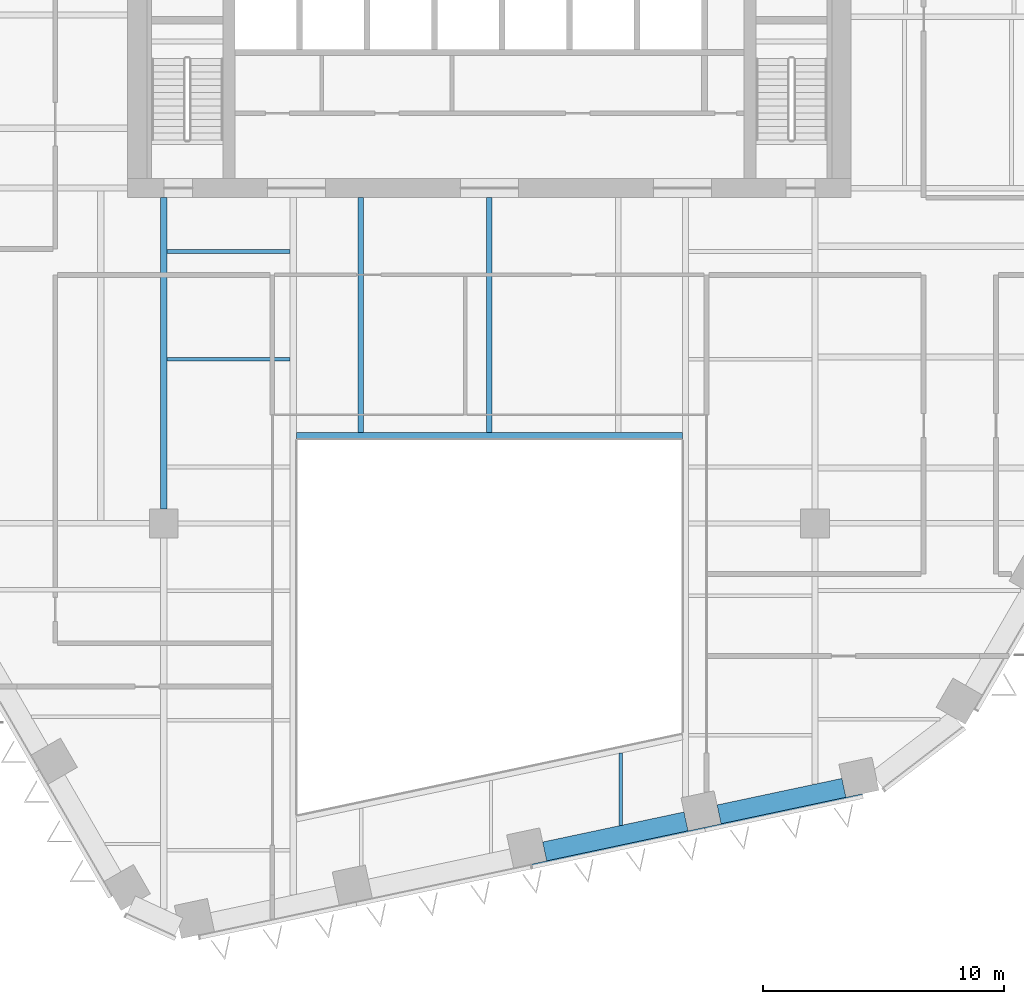
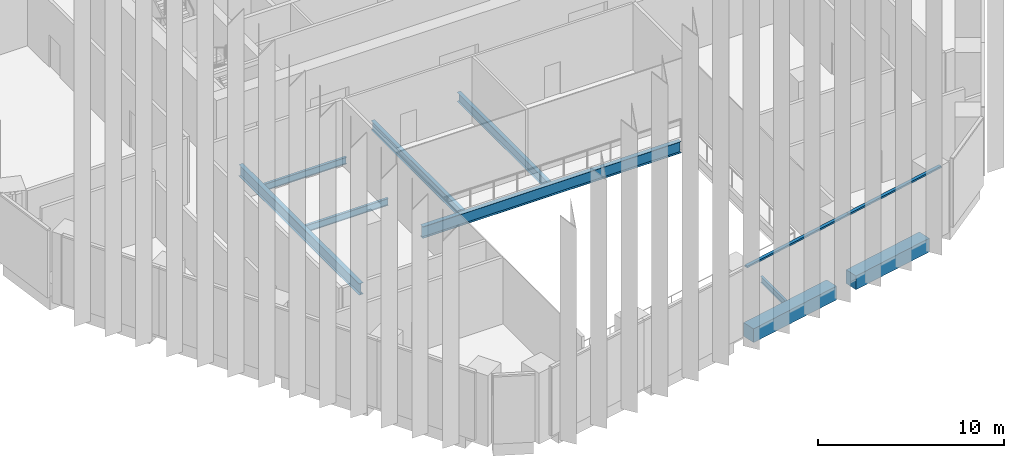
# One storey, part 4 of 18: 9 beams, 2 members, 1 element without a shape of its own.
"""IFC4 building model written with IfcOpenShell, lengths in metres."""

from ifc_helpers import new_model, si_unit, direction, frame, origin, origin_2d, place, context, subcontext, project, spatial, rectangle, i_section, extrude, material, layer, layer_set, material_profile, profile_set, type_object, element, aggregate, save


model = new_model("IFC4")

# Units and contexts
model_context = context("Model", 3, precision=1e-05, world=origin(), true_north=direction((0.0, 1.0)))
body_context = subcontext(model_context, "Body", "Model", "MODEL_VIEW")
ifc_project = project(units=[si_unit("LENGTHUNIT", "METRE"), si_unit("AREAUNIT", "SQUARE_METRE"), si_unit("VOLUMEUNIT", "CUBIC_METRE"), si_unit("PLANEANGLEUNIT", "RADIAN"), si_unit("MASSUNIT", "GRAM", prefix="KILO")], contexts=[model_context])

# Site, building, storey
site_placement = place(None, origin())
site = spatial("IfcSite", under=ifc_project, at=site_placement, CompositionType="ELEMENT")
building_placement = place(site_placement, origin())
building = spatial("IfcBuilding", under=site, at=building_placement, Name="Isthmus Gate Tower", CompositionType="ELEMENT")
storey_placement = place(building_placement, frame((0.0, 0.0, 166.300048828125)))
storey = spatial("IfcBuildingStorey", under=building, at=storey_placement, Name="L41", CompositionType="ELEMENT", Elevation=166.300048828125)

# Curtain wall, members
ifc_material_1 = material(Name="Aluminium, pale champagne anodised", Category="aluminium")
ifc_layer = layer(ifc_material_1, 0.199951171875)
ifc_layer_set = layer_set([ifc_layer], Name="CW-2 LOUVRE CURTAIN WALL 200 DEEP")
curtain_wall_type = type_object("IfcCurtainWallType", Name="CW-2 LOUVRE CURTAIN WALL 200 DEEP", PredefinedType="NOTDEFINED", material=ifc_layer_set)
curtain_wall_placement = place(storey_placement, origin())
curtain_wall = element("IfcCurtainWall", 1, at=curtain_wall_placement, inside=storey, type_object=curtain_wall_type, Name="CW-2 S L41", PredefinedType="NOTDEFINED")
ifc_material_2 = material(Name="Aluminium, pale champagne anodised", Category="aluminium")
ifc_material_profile_1 = material_profile(ifc_material_2, rectangle(XDim=0.199951171875, YDim=0.110107421875, at=origin_2d()), Name="200x110")
ifc_profile_set_1 = profile_set([ifc_material_profile_1], Name="Aluminium, pale champagne anodised")
member_type = type_object("IfcMemberType", Name="CW-2 TRANSOM 200 X 110", PredefinedType="USERDEFINED", material=ifc_profile_set_1)
member_1_placement = place(storey_placement, frame((1.76953125, -27.72607421875, 4.445068359375), z_axis=(0.978146152746, 0.207918502948, 0.0), x_axis=(-0.207918502948, 0.978146152746, 0.0)))
member_1 = element("IfcMember", 2, at=member_1_placement, type_object=member_type, Name="CW-2 transom", ObjectType="TRANSOM", PredefinedType="USERDEFINED", context=body_context, shape_type="SweptSolid", body=[
    extrude(rectangle(XDim=0.199951171875, YDim=0.110107421875, at=origin_2d()), origin(), (0.0, 0.0, 1.0), 7.33056640625),
])
member_2_placement = place(storey_placement, frame((8.93994140625, -26.201904296875, 4.445068359375), z_axis=(0.978147628551, 0.207911559946, 0.0), x_axis=(-0.207911559946, 0.978147628551, 0.0)))
member_2 = element("IfcMember", 3, at=member_2_placement, type_object=member_type, Name="CW-2 transom", ObjectType="TRANSOM", PredefinedType="USERDEFINED", context=body_context, shape_type="SweptSolid", body=[
    extrude(rectangle(XDim=0.199951171875, YDim=0.110107421875, at=origin_2d()), origin(), (0.0, 0.0, 1.0), 6.69091796875),
])
aggregate(curtain_wall, [member_1, member_2])

# Beams
ifc_material_3 = material(Name="Concrete f'c 60 MPa", Category="concrete")
ifc_material_profile_2 = material_profile(ifc_material_3, rectangle(XDim=0.800048828125, YDim=0.89990234375, at=origin_2d()), Name="RC 800X900")
ifc_profile_set_2 = profile_set([ifc_material_profile_2], Name="Concrete f'c 60 MPa")
beam_type_1 = type_object("IfcBeamType", Name="RC SPANDREL 800 X 900", PredefinedType="SPANDREL", material=ifc_profile_set_2)
beam_1_placement = place(storey_placement, frame((14.696044921875, -24.46728515625, -0.449951171875), z_axis=(-0.978145479826, -0.207921668653, 0.0), x_axis=(0.207921668653, -0.978145479826, 0.0)))
element("IfcBeam", 4, at=beam_1_placement, inside=storey, type_object=beam_type_1, Name="str-spandrel-L41-11", PredefinedType="SPANDREL", context=body_context, shape_type="SweptSolid", body=[
    extrude(rectangle(XDim=0.800048828125, YDim=0.89990234375, at=origin_2d()), origin(), (0.0, 0.0, 1.0), 5.291015625),
])
beam_2_placement = place(storey_placement, frame((8.1513671875, -25.8583984375, -0.449951171875), z_axis=(-0.978145798872, -0.20792016773, 0.0), x_axis=(0.20792016773, -0.978145798872, 0.0)))
element("IfcBeam", 5, at=beam_2_placement, inside=storey, type_object=beam_type_1, Name="str-spandrel-L41-12", PredefinedType="SPANDREL", context=body_context, shape_type="SweptSolid", body=[
    extrude(rectangle(XDim=0.800048828125, YDim=0.89990234375, at=origin_2d()), origin(), (0.0, 0.0, 1.0), 5.99072265625),
])
ifc_material_4 = material(Name="Structural steel ASTM A992 Gr 50", Category="steel")
ifc_material_profile_3 = material_profile(ifc_material_4, i_section(OverallWidth=0.1396484375, OverallDepth=0.4033203125, WebThickness=0.00634765625, FlangeThickness=0.010986328125, at=origin_2d()), Name="W16X31")
ifc_profile_set_3 = profile_set([ifc_material_profile_3], Name="Structural steel ASTM A992 Gr 50")
beam_type_2 = type_object("IfcBeamType", Name="STEEL FLOOR BEAM W16X31", PredefinedType="JOIST", material=ifc_profile_set_3)
beam_3_placement = place(storey_placement, frame((5.443115234375, -26.025146484375, -0.501708984375), z_axis=(0.0, 1.0, 0.0), x_axis=(-1.0, 0.0, 0.0)))
element("IfcBeam", 6, at=beam_3_placement, inside=storey, type_object=beam_type_2, Name="str-beam-L41-07-02", PredefinedType="JOIST", context=body_context, shape_type="SweptSolid", body=[
    extrude(i_section(OverallWidth=0.1396484375, OverallDepth=0.4033203125, WebThickness=0.00634765625, FlangeThickness=0.010986328125, at=origin_2d()), origin(), (0.0, 0.0, 1.0), 2.998779296875),
])
ifc_material_5 = material(Name="Structural steel ASTM A992 Gr 50", Category="steel")
ifc_material_profile_4 = material_profile(ifc_material_5, i_section(OverallWidth=0.15234375, OverallDepth=0.45068359375, WebThickness=0.0078125, FlangeThickness=0.010986328125, at=origin_2d()), Name="W18X35")
ifc_profile_set_4 = profile_set([ifc_material_profile_4], Name="Structural steel ASTM A992 Gr 50")
beam_type_3 = type_object("IfcBeamType", Name="STEEL FLOOR BEAM W18X35", PredefinedType="JOIST", material=ifc_profile_set_4)
for number, where, z_axis, x_axis, name in (
    (7, (-13.3681640625, -6.697509765625, -0.525390625), (1.0, 0.0, 0.0), (0.0, 1.0, 0.0), "str-beam-L41-04-01"),
    (8, (-13.3681640625, -2.232421875, -0.525390625), (1.0, 0.0, 0.0), (0.0, 1.0, 0.0), "str-beam-L41-04-02"),
):
    element("IfcBeam", number, at=place(storey_placement, frame(where, z_axis=z_axis, x_axis=x_axis)), inside=storey, type_object=beam_type_3, Name=name, PredefinedType="JOIST", context=body_context, shape_type="SweptSolid", body=[
        extrude(i_section(OverallWidth=0.15234375, OverallDepth=0.45068359375, WebThickness=0.0078125, FlangeThickness=0.010986328125, at=origin_2d()), origin(), (0.0, 0.0, 1.0), 5.1015625),
    ])
ifc_material_6 = material(Name="Structural steel ASTM A992 Gr 50", Category="steel")
ifc_material_profile_5 = material_profile(ifc_material_6, i_section(OverallWidth=0.228515625, OverallDepth=0.603271484375, WebThickness=0.010986328125, FlangeThickness=0.014404296875, at=origin_2d()), Name="W24X68")
ifc_profile_set_5 = profile_set([ifc_material_profile_5], Name="Structural steel ASTM A992 Gr 50")
beam_type_4 = type_object("IfcBeamType", Name="STEEL FLOOR BEAM W24X68", PredefinedType="JOIST", material=ifc_profile_set_5)
for number, where, z_axis, x_axis, name in (
    (9, (-5.333251953125, -9.7333984375, -0.6015625), (0.0, 1.0, 0.0), (-1.0, 0.0, 0.0), "str-beam-L41-06-00"),
    (10, (0.0, -9.7333984375, -0.6015625), (0.0, 1.0, 0.0), (-1.0, 0.0, 0.0), "str-beam-L41-06-01"),
):
    element("IfcBeam", number, at=place(storey_placement, frame(where, z_axis=z_axis, x_axis=x_axis)), inside=storey, type_object=beam_type_4, Name=name, PredefinedType="JOIST", context=body_context, shape_type="SweptSolid", body=[
        extrude(i_section(OverallWidth=0.228515625, OverallDepth=0.603271484375, WebThickness=0.010986328125, FlangeThickness=0.014404296875, at=origin_2d()), origin(), (0.0, 0.0, 1.0), 9.7333984375),
    ])
ifc_material_7 = material(Name="Structural steel ASTM A992 Gr 50", Category="steel")
ifc_material_profile_6 = material_profile(ifc_material_7, i_section(OverallWidth=0.263427734375, OverallDepth=0.749267578125, WebThickness=0.0126953125, FlangeThickness=0.015869140625, at=origin_2d()), Name="W30X90")
ifc_profile_set_6 = profile_set([ifc_material_profile_6], Name="Structural steel ASTM A992 Gr 50")
beam_type_5 = type_object("IfcBeamType", Name="STEEL GIRDER W30X90", PredefinedType="BEAM", material=ifc_profile_set_6)
beam_4_placement = place(storey_placement, frame((-13.5, -12.89990234375, -0.6748046875), z_axis=(0.0, 1.0, 0.0), x_axis=(-1.0, 0.0, 0.0)))
element("IfcBeam", 11, at=beam_4_placement, inside=storey, type_object=beam_type_5, Name="str-girder-L41-08", PredefinedType="BEAM", context=body_context, shape_type="SweptSolid", body=[
    extrude(i_section(OverallWidth=0.263427734375, OverallDepth=0.749267578125, WebThickness=0.0126953125, FlangeThickness=0.015869140625, at=origin_2d()), origin(), (0.0, 0.0, 1.0), 12.89990234375),
])
ifc_material_8 = material(Name="Structural steel ASTM A992 Gr 50", Category="steel")
ifc_material_profile_7 = material_profile(ifc_material_8, i_section(OverallWidth=0.2666015625, OverallDepth=0.7587890625, WebThickness=0.014404296875, FlangeThickness=0.01904296875, at=origin_2d()), Name="W30X108")
ifc_profile_set_7 = profile_set([ifc_material_profile_7], Name="Structural steel ASTM A992 Gr 50")
beam_type_6 = type_object("IfcBeamType", Name="STEEL TRIMMER W30X108", PredefinedType="BEAM", material=ifc_profile_set_7)
beam_5_placement = place(storey_placement, frame((8.0, -9.86669921875, -0.679443359375), z_axis=(-1.0, 0.0, 0.0), x_axis=(0.0, -1.0, 0.0)))
element("IfcBeam", 12, at=beam_5_placement, inside=storey, type_object=beam_type_6, Name="str-trimmer-L41-04", PredefinedType="BEAM", context=body_context, shape_type="SweptSolid", body=[
    extrude(i_section(OverallWidth=0.2666015625, OverallDepth=0.7587890625, WebThickness=0.014404296875, FlangeThickness=0.01904296875, at=origin_2d()), origin(), (0.0, 0.0, 1.0), 16.0),
])

save(model, "model.ifc")
